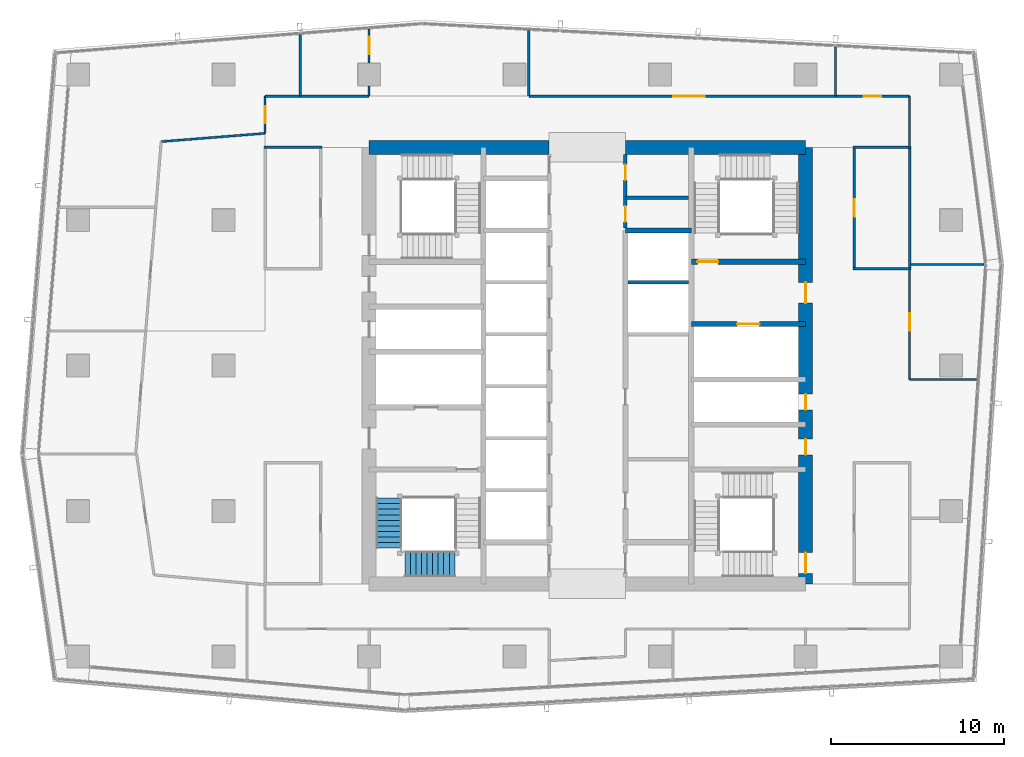
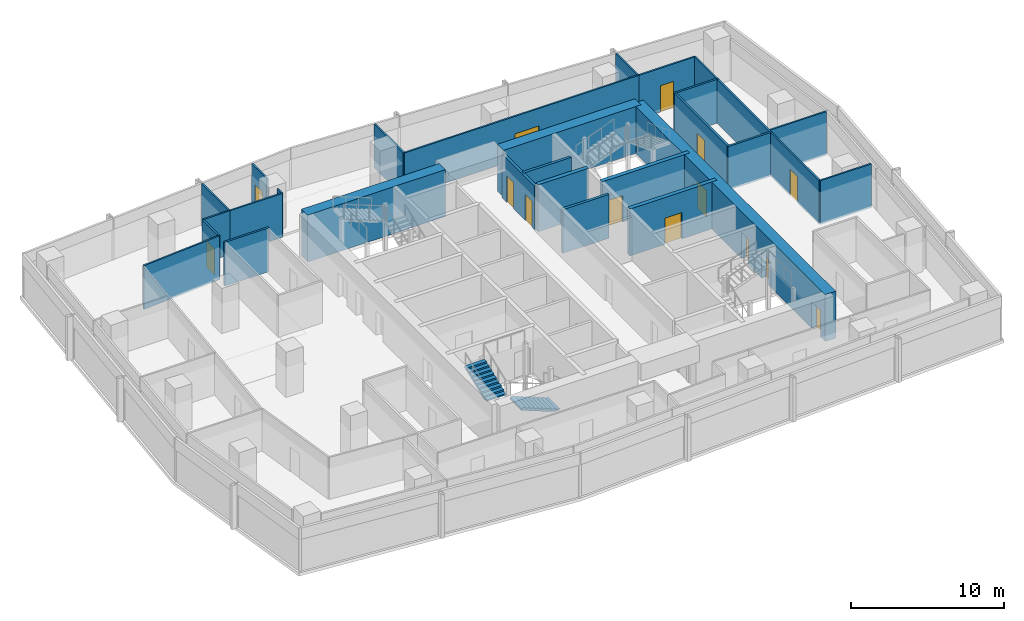
# One storey, part 24 of 29: 29 walls, 14 doors, 2 stair flights, 14 openings, 1 element without a shape of its own.
"""IFC4 building model written with IfcOpenShell, lengths in metres."""

from ifc_helpers import new_model, si_unit, direction, frame, frame_2d, origin, place, context, subcontext, project, spatial, polyline, rectangle, outline, extrude, material, layer, layer_set, type_object, element, fill, aggregate, save


model = new_model("IFC4")

# Units and contexts
model_context = context("Model", 3, precision=1e-05, world=origin(), true_north=direction((0.0, 1.0)))
body_context = subcontext(model_context, "Body", "Model", "MODEL_VIEW")
ifc_project = project(units=[si_unit("LENGTHUNIT", "METRE"), si_unit("AREAUNIT", "SQUARE_METRE"), si_unit("VOLUMEUNIT", "CUBIC_METRE"), si_unit("PLANEANGLEUNIT", "RADIAN"), si_unit("MASSUNIT", "GRAM", prefix="KILO")], contexts=[model_context])

# Site, building, storey
site_placement = place(None, origin())
site = spatial("IfcSite", under=ifc_project, at=site_placement, CompositionType="ELEMENT")
building_placement = place(site_placement, origin())
building = spatial("IfcBuilding", under=site, at=building_placement, Name="Rekha Terrace Tower", CompositionType="ELEMENT")
storey_placement = place(building_placement, frame((0.0, 0.0, 280.10009765625)))
storey = spatial("IfcBuildingStorey", under=building, at=storey_placement, Name="L71", CompositionType="ELEMENT", Elevation=280.10009765625)

# Wall
ifc_material_1 = material(Name="Concrete M60", Category="concrete")
ifc_layer_1 = layer(ifc_material_1, 0.300048828125)
ifc_layer_set_1 = layer_set([ifc_layer_1], Name="Concrete M60")
wall_type_1 = type_object("IfcWallType", Name="CI5 300 core internal shear wall", PredefinedType="SHEAR", material=ifc_layer_set_1)
wall_1_placement = place(storey_placement, frame((40.0, 41.39990234375, 0.0), z_axis=(0.0, 0.0, 1.0), x_axis=(1.0, 0.0, 0.0)))
element("IfcWall", 1, at=wall_1_placement, inside=storey, type_object=wall_type_1, Name="Core wall Y414E L71", PredefinedType="SHEAR", context=body_context, shape_type="SweptSolid", body=[
    extrude(rectangle(XDim=3.800048828125, YDim=0.300048828125, at=frame_2d((1.89990234375, 0.0))), origin(), (0.0, 0.0, 1.0), 3.75),
])

# Wall, opening, door
wall_2_placement = place(storey_placement, frame((43.800048828125, 36.0, 0.0), z_axis=(0.0, 0.0, 1.0), x_axis=(1.0, 0.0, 0.0)))
wall_2 = element("IfcWall", 2, at=wall_2_placement, inside=storey, type_object=wall_type_1, Name="Core wall Y360E L71", PredefinedType="SHEAR", context=body_context, shape_type="SweptSolid", body=[
    extrude(rectangle(XDim=6.599853515625, YDim=0.300048828125, at=frame_2d((3.2998046875, 0.0))), origin(), (0.0, 0.0, 1.0), 3.75),
])
opening_1_placement = place(wall_2_placement, frame((2.64990234375, 0.0, 0.0)))
opening_1 = element("IfcOpeningElement", 3, at=opening_1_placement, cuts=wall_2, Name="Opening LD2", PredefinedType="OPENING", context=body_context, shape_type="SweptSolid", body=[
    extrude(rectangle(XDim=1.300048828125, YDim=2.10009765625, at=frame_2d((0.64990234375, 1.050048828125))), frame((0.0, 0.159912109375, 0.0), z_axis=(0.0, -1.0, 0.0), x_axis=(1.0, 0.0, 0.0)), (0.0, 0.0, 1.0), 0.320068359375),
])
ifc_material_2 = material(Name="Stainless steel sliding landing door", Category="steel")
door_type_1 = type_object("IfcDoorType", Name="LD2 1300x2100 fire lift landing door", OperationType="SLIDING_TO_LEFT", PredefinedType="USERDEFINED", material=ifc_material_2)
door_1_placement = place(opening_1_placement, origin())
door_1 = element("IfcDoor", 4, at=door_1_placement, inside=storey, type_object=door_type_1, Name="Lift FL2 landing door L71", ObjectType="LIFT LANDING DOOR", OperationType="SLIDING_TO_LEFT", OverallHeight=2.10009765625, OverallWidth=1.300048828125, PredefinedType="USERDEFINED", context=body_context, shape_type="SweptSolid", body=[
    extrude(rectangle(XDim=1.300048828125, YDim=2.10009765625, at=frame_2d((0.64990234375, 1.050048828125))), frame((0.0, 0.02490234375, 0.0), z_axis=(0.0, -1.0, 0.0), x_axis=(1.0, 0.0, 0.0)), (0.0, 0.0, 1.0), 0.050048828125),
])
fill(opening_1, door_1)

wall_3_placement = place(storey_placement, frame((43.800048828125, 39.60009765625, 0.0), z_axis=(0.0, 0.0, 1.0), x_axis=(1.0, 0.0, 0.0)))
wall_3 = element("IfcWall", 5, at=wall_3_placement, inside=storey, type_object=wall_type_1, Name="Core wall Y396E L71", PredefinedType="SHEAR", context=body_context, shape_type="SweptSolid", body=[
    extrude(rectangle(XDim=6.599853515625, YDim=0.300048828125, at=frame_2d((3.2998046875, 0.0))), origin(), (0.0, 0.0, 1.0), 3.75),
])
opening_2_placement = place(wall_3_placement, frame((0.35009765625, 0.0, 0.0)))
opening_2 = element("IfcOpeningElement", 6, at=opening_2_placement, cuts=wall_3, Name="Opening D1", PredefinedType="OPENING", context=body_context, shape_type="SweptSolid", body=[
    extrude(rectangle(XDim=1.199951171875, YDim=2.10009765625, at=frame_2d((0.60009765625, 1.050048828125))), frame((0.0, 0.159912109375, 0.0), z_axis=(0.0, -1.0, 0.0), x_axis=(1.0, 0.0, 0.0)), (0.0, 0.0, 1.0), 0.320068359375),
])
ifc_material_3 = material(Name="Steel fire door", Category="steel")
door_type_2 = type_object("IfcDoorType", Name="D1 1200x2100 stair fire door", OperationType="SINGLE_SWING_RIGHT", PredefinedType="DOOR", material=ifc_material_3)
door_2_placement = place(opening_2_placement, origin())
door_2 = element("IfcDoor", 7, at=door_2_placement, inside=storey, type_object=door_type_2, Name="Stair ST2 door L71", OperationType="SINGLE_SWING_RIGHT", OverallHeight=2.10009765625, OverallWidth=1.199951171875, PredefinedType="DOOR", context=body_context, shape_type="SweptSolid", body=[
    extrude(rectangle(XDim=1.199951171875, YDim=2.10009765625, at=frame_2d((0.60009765625, 1.050048828125))), frame((0.0, 0.02490234375, 0.0), z_axis=(0.0, -1.0, 0.0), x_axis=(1.0, 0.0, 0.0)), (0.0, 0.0, 1.0), 0.050048828125),
])
fill(opening_2, door_2)

# Walls
ifc_layer_2 = layer(ifc_material_1, 0.800048828125)
ifc_layer_set_2 = layer_set([ifc_layer_2], Name="Concrete M60")
wall_type_2 = type_object("IfcWallType", Name="SW5 800 core outer shear wall", PredefinedType="SHEAR", material=ifc_layer_set_2)
wall_4_placement = place(storey_placement, frame((25.199951171875, 46.199951171875, 0.0), z_axis=(0.0, 0.0, 1.0), x_axis=(1.0, 0.0, 0.0)))
element("IfcWall", 8, at=wall_4_placement, inside=storey, type_object=wall_type_2, Name="Core wall N1 L71", PredefinedType="SHEAR", context=body_context, shape_type="SweptSolid", body=[
    extrude(rectangle(XDim=10.400146484375, YDim=0.800048828125, at=frame_2d((5.2001953125, 0.0))), origin(), (0.0, 0.0, 1.0), 3.75),
])
wall_5_placement = place(storey_placement, frame((40.0, 46.199951171875, 0.0), z_axis=(0.0, 0.0, 1.0), x_axis=(1.0, 0.0, 0.0)))
element("IfcWall", 9, at=wall_5_placement, inside=storey, type_object=wall_type_2, Name="Core wall N2 L71", PredefinedType="SHEAR", context=body_context, shape_type="SweptSolid", body=[
    extrude(rectangle(XDim=10.39990234375, YDim=0.800048828125, at=frame_2d((5.199951171875, 0.0))), origin(), (0.0, 0.0, 1.0), 3.75),
])

# Wall, openings, doors
wall_6_placement = place(storey_placement, frame((50.39990234375, 21.0, 0.0), z_axis=(0.0, 0.0, 1.0), x_axis=(0.0, 1.0, 0.0)))
wall_6 = element("IfcWall", 10, at=wall_6_placement, inside=storey, type_object=wall_type_2, Name="Core wall E L71", PredefinedType="SHEAR", context=body_context, shape_type="SweptSolid", body=[
    extrude(rectangle(XDim=25.199951171875, YDim=0.800048828125, at=frame_2d((12.60009765625, 0.0))), origin(), (0.0, 0.0, 1.0), 3.75),
])
opening_3_placement = place(wall_6_placement, frame((16.199951171875, 0.0, 0.0)))
opening_3 = element("IfcOpeningElement", 11, at=opening_3_placement, cuts=wall_6, Name="Opening D2", PredefinedType="OPENING", context=body_context, shape_type="SweptSolid", body=[
    extrude(rectangle(XDim=1.199951171875, YDim=2.10009765625, at=frame_2d((0.60009765625, 1.050048828125))), frame((0.0, 0.409912109375, 0.0), z_axis=(0.0, -1.0, 0.0), x_axis=(1.0, 0.0, 0.0)), (0.0, 0.0, 1.0), 0.820068359375),
])
opening_4_placement = place(wall_6_placement, frame((10.050048828125, 0.0, 0.0)))
opening_4 = element("IfcOpeningElement", 12, at=opening_4_placement, cuts=wall_6, Name="Opening D5", PredefinedType="OPENING", context=body_context, shape_type="SweptSolid", body=[
    extrude(rectangle(XDim=0.89990234375, YDim=2.10009765625, at=frame_2d((0.449951171875, 1.050048828125))), frame((0.0, 0.409912109375, 0.0), z_axis=(0.0, -1.0, 0.0), x_axis=(1.0, 0.0, 0.0)), (0.0, 0.0, 1.0), 0.820068359375),
])
opening_5_placement = place(wall_6_placement, frame((7.449951171875, 0.0, 0.0)))
opening_5 = element("IfcOpeningElement", 13, at=opening_5_placement, cuts=wall_6, Name="Opening D5", PredefinedType="OPENING", context=body_context, shape_type="SweptSolid", body=[
    extrude(rectangle(XDim=0.89990234375, YDim=2.10009765625, at=frame_2d((0.449951171875, 1.050048828125))), frame((0.0, 0.409912109375, 0.0), z_axis=(0.0, -1.0, 0.0), x_axis=(1.0, 0.0, 0.0)), (0.0, 0.0, 1.0), 0.820068359375),
])
opening_6_placement = place(wall_6_placement, frame((0.60009765625, 0.0, 0.0)))
opening_6 = element("IfcOpeningElement", 14, at=opening_6_placement, cuts=wall_6, Name="Opening D1", PredefinedType="OPENING", context=body_context, shape_type="SweptSolid", body=[
    extrude(rectangle(XDim=1.199951171875, YDim=2.10009765625, at=frame_2d((0.60009765625, 1.050048828125))), frame((0.0, 0.409912109375, 0.0), z_axis=(0.0, -1.0, 0.0), x_axis=(1.0, 0.0, 0.0)), (0.0, 0.0, 1.0), 0.820068359375),
])
door_3_placement = place(opening_6_placement, origin())
door_3 = element("IfcDoor", 15, at=door_3_placement, inside=storey, type_object=door_type_2, Name="Stair ST3 door L71", OperationType="SINGLE_SWING_RIGHT", OverallHeight=2.10009765625, OverallWidth=1.199951171875, PredefinedType="DOOR", context=body_context, shape_type="SweptSolid", body=[
    extrude(rectangle(XDim=1.199951171875, YDim=2.10009765625, at=frame_2d((0.60009765625, 1.050048828125))), frame((0.0, 0.02490234375, 0.0), z_axis=(0.0, -1.0, 0.0), x_axis=(1.0, 0.0, 0.0)), (0.0, 0.0, 1.0), 0.050048828125),
])
fill(opening_6, door_3)
door_type_3 = type_object("IfcDoorType", Name="D2 1200x2100 firefighting lobby door", OperationType="SINGLE_SWING_LEFT", PredefinedType="DOOR", material=ifc_material_3)
door_4_placement = place(opening_3_placement, origin())
door_4 = element("IfcDoor", 16, at=door_4_placement, inside=storey, type_object=door_type_3, Name="Door flb2 L71", OperationType="SINGLE_SWING_LEFT", OverallHeight=2.10009765625, OverallWidth=1.199951171875, PredefinedType="DOOR", context=body_context, shape_type="SweptSolid", body=[
    extrude(rectangle(XDim=1.199951171875, YDim=2.10009765625, at=frame_2d((0.60009765625, 1.050048828125))), frame((0.0, 0.02490234375, 0.0), z_axis=(0.0, -1.0, 0.0), x_axis=(1.0, 0.0, 0.0)), (0.0, 0.0, 1.0), 0.050048828125),
])
fill(opening_3, door_4)
door_type_4 = type_object("IfcDoorType", Name="D5 900x2100 riser access door", OperationType="SINGLE_SWING_LEFT", PredefinedType="DOOR", material=ifc_material_3)
door_5_placement = place(opening_4_placement, origin())
door_5 = element("IfcDoor", 17, at=door_5_placement, inside=storey, type_object=door_type_4, Name="Door rs2 L71", OperationType="SINGLE_SWING_LEFT", OverallHeight=2.10009765625, OverallWidth=0.89990234375, PredefinedType="DOOR", context=body_context, shape_type="SweptSolid", body=[
    extrude(rectangle(XDim=0.89990234375, YDim=2.10009765625, at=frame_2d((0.449951171875, 1.050048828125))), frame((0.0, 0.02490234375, 0.0), z_axis=(0.0, -1.0, 0.0), x_axis=(1.0, 0.0, 0.0)), (0.0, 0.0, 1.0), 0.050048828125),
])
fill(opening_4, door_5)
door_6_placement = place(opening_5_placement, origin())
door_6 = element("IfcDoor", 18, at=door_6_placement, inside=storey, type_object=door_type_4, Name="Door ele L71", OperationType="SINGLE_SWING_LEFT", OverallHeight=2.10009765625, OverallWidth=0.89990234375, PredefinedType="DOOR", context=body_context, shape_type="SweptSolid", body=[
    extrude(rectangle(XDim=0.89990234375, YDim=2.10009765625, at=frame_2d((0.449951171875, 1.050048828125))), frame((0.0, 0.02490234375, 0.0), z_axis=(0.0, -1.0, 0.0), x_axis=(1.0, 0.0, 0.0)), (0.0, 0.0, 1.0), 0.050048828125),
])
fill(opening_5, door_6)

# Walls
ifc_material_4 = material(Name="Concrete block masonry, 1 hour", Category="masonry")
ifc_layer_3 = layer(ifc_material_4, 0.14990234375)
ifc_layer_set_3 = layer_set([ifc_layer_3], Name="Concrete block masonry, 1 hour")
wall_type_3 = type_object("IfcWallType", Name="WP2 150 tenancy partition", PredefinedType="PARTITIONING", material=ifc_layer_set_3)
for number, where, z_axis, x_axis, name in (
    (19, (53.125, 39.199951171875, 0.0), (0.0, 0.0, 1.0), (1.0, 0.0, 0.0), "Women's WC wall L71"),
    (20, (53.125, 46.199951171875, 0.0), (0.0, 0.0, 1.0), (1.0, 0.0, 0.0), "Women's WC wall L71"),
):
    element("IfcWall", number, at=place(storey_placement, frame(where, z_axis=z_axis, x_axis=x_axis)), inside=storey, type_object=wall_type_3, Name=name, PredefinedType="PARTITIONING", context=body_context, shape_type="SweptSolid", body=[
        extrude(rectangle(XDim=3.35009765625, YDim=0.14990234375, at=frame_2d((1.675048828125, 0.0))), origin(), (0.0, 0.0, 1.0), 3.5),
    ])

# Wall, opening, door
wall_7_placement = place(storey_placement, frame((53.199951171875, 39.27490234375, 0.0), z_axis=(0.0, 0.0, 1.0), x_axis=(0.0, 1.0, 0.0)))
wall_7 = element("IfcWall", 21, at=wall_7_placement, inside=storey, type_object=wall_type_3, Name="Women's WC wall L71", PredefinedType="PARTITIONING", context=body_context, shape_type="SweptSolid", body=[
    extrude(rectangle(XDim=6.85009765625, YDim=0.14990234375, at=frame_2d((3.425048828125, 0.0))), origin(), (0.0, 0.0, 1.0), 3.5),
])
opening_7_placement = place(wall_7_placement, frame((2.925048828125, 0.0, 0.0)))
opening_7 = element("IfcOpeningElement", 22, at=opening_7_placement, cuts=wall_7, Name="Opening D3", PredefinedType="OPENING", context=body_context, shape_type="SweptSolid", body=[
    extrude(rectangle(XDim=1.0, YDim=2.10009765625, at=frame_2d((0.5, 1.050048828125))), frame((0.0, 0.0849609375, 0.0), z_axis=(0.0, -1.0, 0.0), x_axis=(1.0, 0.0, 0.0)), (0.0, 0.0, 1.0), 0.169921875),
])
ifc_material_5 = material(Name="Laminated timber fire door", Category="wood")
door_type_5 = type_object("IfcDoorType", Name="D3 1000x2100 WC door", OperationType="SINGLE_SWING_LEFT", PredefinedType="DOOR", material=ifc_material_5)
door_7_placement = place(opening_7_placement, origin())
door_7 = element("IfcDoor", 23, at=door_7_placement, inside=storey, type_object=door_type_5, Name="Door women's wc L71", OperationType="SINGLE_SWING_LEFT", OverallHeight=2.10009765625, OverallWidth=1.0, PredefinedType="DOOR", context=body_context, shape_type="SweptSolid", body=[
    extrude(rectangle(XDim=1.0, YDim=2.10009765625, at=frame_2d((0.5, 1.050048828125))), frame((0.0, 0.02490234375, 0.0), z_axis=(0.0, -1.0, 0.0), x_axis=(1.0, 0.0, 0.0)), (0.0, 0.0, 1.0), 0.050048828125),
])
fill(opening_7, door_7)

# Walls
wall_8_placement = place(storey_placement, frame((56.39990234375, 39.27490234375, 0.0), z_axis=(0.0, 0.0, 1.0), x_axis=(0.0, 1.0, 0.0)))
element("IfcWall", 24, at=wall_8_placement, inside=storey, type_object=wall_type_3, Name="Women's WC wall L71", PredefinedType="PARTITIONING", context=body_context, shape_type="SweptSolid", body=[
    extrude(rectangle(XDim=6.85009765625, YDim=0.14990234375, at=frame_2d((3.425048828125, 0.0))), origin(), (0.0, 0.0, 1.0), 3.5),
])
wall_9_placement = place(storey_placement, frame((19.125, 46.199951171875, 0.0), z_axis=(0.0, 0.0, 1.0), x_axis=(1.0, 0.0, 0.0)))
element("IfcWall", 25, at=wall_9_placement, inside=storey, type_object=wall_type_3, Name="Women's WC wall L71", PredefinedType="PARTITIONING", context=body_context, shape_type="SweptSolid", body=[
    extrude(rectangle(XDim=3.35009765625, YDim=0.14990234375, at=frame_2d((1.675048828125, 0.0))), origin(), (0.0, 0.0, 1.0), 3.5),
])
ifc_material_6 = material(Name="Two layers of fire-rated gypsum board each side on steel studs, acoustic quilt, 1 hour", Category="steel")
ifc_layer_4 = layer(ifc_material_6, 0.125)
ifc_layer_set_4 = layer_set([ifc_layer_4], Name="Two layers of fire-rated gypsum board each side on steel studs, acoustic quilt, 1 hour")
wall_type_4 = type_object("IfcWallType", Name="WP3 125 office partition", PredefinedType="PARTITIONING", material=ifc_layer_set_4)
wall_10_placement = place(storey_placement, frame((60.26611328125, 32.7919921875, 0.0), z_axis=(0.0, 0.0, 1.0), x_axis=(-1.0, 0.0, 0.0)))
element("IfcWall", 26, at=wall_10_placement, inside=storey, type_object=wall_type_4, Name="Partition L71-02", PredefinedType="PARTITIONING", context=body_context, shape_type="SweptSolid", body=[
    extrude(rectangle(XDim=3.8662109375, YDim=0.125, at=frame_2d((1.93310546875, 0.0))), origin(), (0.0, 0.0, 1.0), 3.5),
])

# Wall, opening, door
wall_11_placement = place(storey_placement, frame((56.39990234375, 32.7919921875, 0.0), z_axis=(0.0, 0.0, 1.0), x_axis=(0.0, 1.0, 0.0)))
wall_11 = element("IfcWall", 27, at=wall_11_placement, inside=storey, type_object=wall_type_4, Name="Partition L71-02", PredefinedType="PARTITIONING", context=body_context, shape_type="SweptSolid", body=[
    extrude(rectangle(XDim=6.48193359375, YDim=0.125, at=frame_2d((3.240966796875, 0.0))), origin(), (0.0, 0.0, 1.0), 3.5),
])
opening_8_placement = place(wall_11_placement, frame((2.822998046875, 0.0, 0.0)))
opening_8 = element("IfcOpeningElement", 28, at=opening_8_placement, cuts=wall_11, Name="Opening D9", PredefinedType="OPENING", context=body_context, shape_type="SweptSolid", body=[
    extrude(rectangle(XDim=1.0, YDim=2.10009765625, at=frame_2d((0.5, 1.050048828125))), frame((0.0, 0.072509765625, 0.0), z_axis=(0.0, -1.0, 0.0), x_axis=(1.0, 0.0, 0.0)), (0.0, 0.0, 1.0), 0.14501953125),
])
ifc_material_7 = material(Name="Timber fire door", Category="wood")
door_type_6 = type_object("IfcDoorType", Name="D9 1000x2100 office door", OperationType="SINGLE_SWING_LEFT", PredefinedType="DOOR", material=ifc_material_7)
door_8_placement = place(opening_8_placement, origin())
door_8 = element("IfcDoor", 29, at=door_8_placement, inside=storey, type_object=door_type_6, Name="Door meeting room L71", OperationType="SINGLE_SWING_LEFT", OverallHeight=2.10009765625, OverallWidth=1.0, PredefinedType="DOOR", context=body_context, shape_type="SweptSolid", body=[
    extrude(rectangle(XDim=1.0, YDim=2.10009765625, at=frame_2d((0.5, 1.050048828125))), frame((0.0, 0.02490234375, 0.0), z_axis=(0.0, -1.0, 0.0), x_axis=(1.0, 0.0, 0.0)), (0.0, 0.0, 1.0), 0.050048828125),
])
fill(opening_8, door_8)

# Walls
wall_12_placement = place(storey_placement, frame((56.47509765625, 39.43896484375, 0.0), z_axis=(0.0, 0.0, 1.0), x_axis=(1.0, 0.0, 0.0)))
element("IfcWall", 30, at=wall_12_placement, inside=storey, type_object=wall_type_4, Name="Partition L71-02", PredefinedType="PARTITIONING", context=body_context, shape_type="SweptSolid", body=[
    extrude(rectangle(XDim=4.224853515625, YDim=0.125, at=frame_2d((2.1123046875, 0.0))), origin(), (0.0, 0.0, 1.0), 3.5),
])
wall_13_placement = place(storey_placement, frame((52.123046875, 49.14990234375, 0.0), z_axis=(0.0, 0.0, 1.0), x_axis=(0.0, 1.0, 0.0)))
element("IfcWall", 31, at=wall_13_placement, inside=storey, type_object=wall_type_4, Name="Partition L71-03", PredefinedType="PARTITIONING", context=body_context, shape_type="SweptSolid", body=[
    extrude(rectangle(XDim=2.85205078125, YDim=0.125, at=frame_2d((1.426025390625, 0.0))), origin(), (0.0, 0.0, 1.0), 3.5),
])
wall_14_placement = place(storey_placement, frame((56.39990234375, 46.125, 0.0), z_axis=(0.0, 0.0, 1.0), x_axis=(0.0, 1.0, 0.0)))
element("IfcWall", 32, at=wall_14_placement, inside=storey, type_object=wall_type_4, Name="Partition L71-03", PredefinedType="PARTITIONING", context=body_context, shape_type="SweptSolid", body=[
    extrude(rectangle(XDim=3.02490234375, YDim=0.125, at=frame_2d((1.512451171875, 0.0))), origin(), (0.0, 0.0, 1.0), 3.5),
])

# Wall, opening, door
wall_15_placement = place(storey_placement, frame((56.39990234375, 49.14990234375, 0.0), z_axis=(0.0, 0.0, 1.0), x_axis=(-1.0, 0.0, 0.0)))
wall_15 = element("IfcWall", 33, at=wall_15_placement, inside=storey, type_object=wall_type_4, Name="Partition L71-03", PredefinedType="PARTITIONING", context=body_context, shape_type="SweptSolid", body=[
    extrude(rectangle(XDim=4.27685546875, YDim=0.125, at=frame_2d((2.138427734375, 0.0))), origin(), (0.0, 0.0, 1.0), 3.5),
])
opening_9_placement = place(wall_15_placement, frame((1.638916015625, 0.0, 0.0)))
opening_9 = element("IfcOpeningElement", 34, at=opening_9_placement, cuts=wall_15, Name="Opening D9", PredefinedType="OPENING", context=body_context, shape_type="SweptSolid", body=[
    extrude(rectangle(XDim=1.0, YDim=2.10009765625, at=frame_2d((0.5, 1.050048828125))), frame((0.0, 0.072509765625, 0.0), z_axis=(0.0, -1.0, 0.0), x_axis=(1.0, 0.0, 0.0)), (0.0, 0.0, 1.0), 0.14501953125),
])
door_9_placement = place(opening_9_placement, origin())
door_9 = element("IfcDoor", 35, at=door_9_placement, inside=storey, type_object=door_type_6, Name="Door chairman's office L71", OperationType="SINGLE_SWING_LEFT", OverallHeight=2.10009765625, OverallWidth=1.0, PredefinedType="DOOR", context=body_context, shape_type="SweptSolid", body=[
    extrude(rectangle(XDim=1.0, YDim=2.10009765625, at=frame_2d((0.5, 1.050048828125))), frame((0.0, 0.02490234375, 0.0), z_axis=(0.0, -1.0, 0.0), x_axis=(1.0, 0.0, 0.0)), (0.0, 0.0, 1.0), 0.050048828125),
])
fill(opening_9, door_9)

wall_16_placement = place(storey_placement, frame((52.123046875, 49.14990234375, 0.0), z_axis=(0.0, 0.0, 1.0), x_axis=(-1.0, 0.0, 0.0)))
wall_16 = element("IfcWall", 36, at=wall_16_placement, inside=storey, type_object=wall_type_4, Name="Partition L71-04", PredefinedType="PARTITIONING", context=body_context, shape_type="SweptSolid", body=[
    extrude(rectangle(XDim=17.705078125, YDim=0.125, at=frame_2d((8.8525390625, 0.0))), origin(), (0.0, 0.0, 1.0), 3.5),
])
opening_10_placement = place(wall_16_placement, frame((7.552978515625, 0.0, 0.0)))
opening_10 = element("IfcOpeningElement", 37, at=opening_10_placement, cuts=wall_16, Name="Opening D8", PredefinedType="OPENING", context=body_context, shape_type="SweptSolid", body=[
    extrude(rectangle(XDim=1.800048828125, YDim=2.10009765625, at=frame_2d((0.89990234375, 1.050048828125))), frame((0.0, 0.072509765625, 0.0), z_axis=(0.0, -1.0, 0.0), x_axis=(1.0, 0.0, 0.0)), (0.0, 0.0, 1.0), 0.14501953125),
])
door_type_7 = type_object("IfcDoorType", Name="D8 1800x2100 double leaf door", OperationType="DOUBLE_DOOR_SINGLE_SWING", PredefinedType="DOOR", material=ifc_material_7)
door_10_placement = place(opening_10_placement, origin())
door_10 = element("IfcDoor", 38, at=door_10_placement, inside=storey, type_object=door_type_7, Name="Door meeting room L71", OperationType="DOUBLE_DOOR_SINGLE_SWING", OverallHeight=2.10009765625, OverallWidth=1.800048828125, PredefinedType="DOOR", context=body_context, shape_type="SweptSolid", body=[
    extrude(rectangle(XDim=1.800048828125, YDim=2.10009765625, at=frame_2d((0.89990234375, 1.050048828125))), frame((0.0, 0.02490234375, 0.0), z_axis=(0.0, -1.0, 0.0), x_axis=(1.0, 0.0, 0.0)), (0.0, 0.0, 1.0), 0.050048828125),
])
fill(opening_10, door_10)

# Wall
wall_17_placement = place(storey_placement, frame((34.41796875, 49.14990234375, 0.0), z_axis=(0.0, 0.0, 1.0), x_axis=(0.0, 1.0, 0.0)))
element("IfcWall", 39, at=wall_17_placement, inside=storey, type_object=wall_type_4, Name="Partition L71-04", PredefinedType="PARTITIONING", context=body_context, shape_type="SweptSolid", body=[
    extrude(rectangle(XDim=3.793212890625, YDim=0.125, at=frame_2d((1.896484375, 0.0))), origin(), (0.0, 0.0, 1.0), 3.5),
])

# Wall, opening, door
wall_18_placement = place(storey_placement, frame((25.205078125, 53.02490234375, 0.0), z_axis=(0.0, 0.0, 1.0), x_axis=(0.0, -1.0, 0.0)))
wall_18 = element("IfcWall", 40, at=wall_18_placement, inside=storey, type_object=wall_type_4, Name="Partition L71-05", PredefinedType="PARTITIONING", context=body_context, shape_type="SweptSolid", body=[
    extrude(rectangle(XDim=1.954833984375, YDim=0.125, at=frame_2d((0.9775390625, 0.0))), origin(), (0.0, 0.0, 1.0), 3.5),
])
opening_11_placement = place(wall_18_placement, frame((0.443115234375, 0.0, 0.0)))
opening_11 = element("IfcOpeningElement", 41, at=opening_11_placement, cuts=wall_18, Name="Opening D9", PredefinedType="OPENING", context=body_context, shape_type="SweptSolid", body=[
    extrude(rectangle(XDim=1.0, YDim=2.10009765625, at=frame_2d((0.5, 1.050048828125))), frame((0.0, 0.072509765625, 0.0), z_axis=(0.0, -1.0, 0.0), x_axis=(1.0, 0.0, 0.0)), (0.0, 0.0, 1.0), 0.14501953125),
])
door_11_placement = place(opening_11_placement, origin())
door_11 = element("IfcDoor", 42, at=door_11_placement, inside=storey, type_object=door_type_6, Name="Door meeting room L71", OperationType="SINGLE_SWING_LEFT", OverallHeight=2.10009765625, OverallWidth=1.0, PredefinedType="DOOR", context=body_context, shape_type="SweptSolid", body=[
    extrude(rectangle(XDim=1.0, YDim=2.10009765625, at=frame_2d((0.5, 1.050048828125))), frame((0.0, 0.02490234375, 0.0), z_axis=(0.0, -1.0, 0.0), x_axis=(1.0, 0.0, 0.0)), (0.0, 0.0, 1.0), 0.050048828125),
])
fill(opening_11, door_11)

# Walls
wall_19_placement = place(storey_placement, frame((25.205078125, 49.72998046875, 0.0), z_axis=(0.0, 0.0, 1.0), x_axis=(0.0, -1.0, 0.0)))
element("IfcWall", 43, at=wall_19_placement, inside=storey, type_object=wall_type_4, Name="Partition L71-05", PredefinedType="PARTITIONING", context=body_context, shape_type="SweptSolid", body=[
    extrude(rectangle(XDim=0.580078125, YDim=0.125, at=frame_2d((0.2900390625, 0.0))), origin(), (0.0, 0.0, 1.0), 3.5),
])
wall_20_placement = place(storey_placement, frame((25.205078125, 49.14990234375, 0.0), z_axis=(0.0, 0.0, 1.0), x_axis=(-1.0, 0.0, 0.0)))
element("IfcWall", 44, at=wall_20_placement, inside=storey, type_object=wall_type_4, Name="Partition L71-05", PredefinedType="PARTITIONING", context=body_context, shape_type="SweptSolid", body=[
    extrude(rectangle(XDim=3.97802734375, YDim=0.125, at=frame_2d((1.989013671875, 0.0))), origin(), (0.0, 0.0, 1.0), 3.5),
])
wall_21_placement = place(storey_placement, frame((21.22705078125, 49.14990234375, 0.0), z_axis=(0.0, 0.0, 1.0), x_axis=(0.0, 1.0, 0.0)))
element("IfcWall", 45, at=wall_21_placement, inside=storey, type_object=wall_type_4, Name="Partition L71-05", PredefinedType="PARTITIONING", context=body_context, shape_type="SweptSolid", body=[
    extrude(rectangle(XDim=3.55810546875, YDim=0.125, at=frame_2d((1.779052734375, 0.0))), origin(), (0.0, 0.0, 1.0), 3.5),
])
wall_22_placement = place(storey_placement, frame((19.199951171875, 47.008056640625, 0.0), z_axis=(0.0, 0.0, 1.0), x_axis=(-0.996842300725, -0.079406721921, 0.0)))
element("IfcWall", 46, at=wall_22_placement, inside=storey, type_object=wall_type_4, Name="Partition L71-06", PredefinedType="PARTITIONING", context=body_context, shape_type="SweptSolid", body=[
    extrude(rectangle(XDim=6.02001953125, YDim=0.125, at=frame_2d((3.010009765625, 0.0))), origin(), (0.0, 0.0, 1.0), 3.5),
])
wall_23_placement = place(storey_placement, frame((21.22607421875, 49.14990234375, 0.0), z_axis=(0.0, 0.0, 1.0), x_axis=(-1.0, 0.0, 0.0)))
element("IfcWall", 47, at=wall_23_placement, inside=storey, type_object=wall_type_4, Name="Partition L71-06", PredefinedType="PARTITIONING", context=body_context, shape_type="SweptSolid", body=[
    extrude(rectangle(XDim=2.026123046875, YDim=0.125, at=frame_2d((1.01318359375, 0.0))), origin(), (0.0, 0.0, 1.0), 3.5),
])

# Wall, opening, door
wall_24_placement = place(storey_placement, frame((19.199951171875, 49.14990234375, 0.0), z_axis=(0.0, 0.0, 1.0), x_axis=(0.0, -1.0, 0.0)))
wall_24 = element("IfcWall", 48, at=wall_24_placement, inside=storey, type_object=wall_type_4, Name="Partition L71-06", PredefinedType="PARTITIONING", context=body_context, shape_type="SweptSolid", body=[
    extrude(rectangle(XDim=2.141845703125, YDim=0.125, at=frame_2d((1.07080078125, 0.0))), origin(), (0.0, 0.0, 1.0), 3.5),
])
opening_12_placement = place(wall_24_placement, frame((0.571044921875, 0.0, 0.0)))
opening_12 = element("IfcOpeningElement", 49, at=opening_12_placement, cuts=wall_24, Name="Opening D9", PredefinedType="OPENING", context=body_context, shape_type="SweptSolid", body=[
    extrude(rectangle(XDim=1.0, YDim=2.10009765625, at=frame_2d((0.5, 1.050048828125))), frame((0.0, 0.072509765625, 0.0), z_axis=(0.0, -1.0, 0.0), x_axis=(1.0, 0.0, 0.0)), (0.0, 0.0, 1.0), 0.14501953125),
])
door_12_placement = place(opening_12_placement, origin())
door_12 = element("IfcDoor", 50, at=door_12_placement, inside=storey, type_object=door_type_6, Name="Door director's office L71", OperationType="SINGLE_SWING_LEFT", OverallHeight=2.10009765625, OverallWidth=1.0, PredefinedType="DOOR", context=body_context, shape_type="SweptSolid", body=[
    extrude(rectangle(XDim=1.0, YDim=2.10009765625, at=frame_2d((0.5, 1.050048828125))), frame((0.0, 0.02490234375, 0.0), z_axis=(0.0, -1.0, 0.0), x_axis=(1.0, 0.0, 0.0)), (0.0, 0.0, 1.0), 0.050048828125),
])
fill(opening_12, door_12)

# Wall
ifc_material_8 = material(Name="Solid concrete block masonry, 2 hour", Category="masonry")
ifc_layer_5 = layer(ifc_material_8, 0.199951171875)
ifc_layer_set_5 = layer_set([ifc_layer_5], Name="Solid concrete block masonry, 2 hour")
wall_type_5 = type_object("IfcWallType", Name="WS1 200 stair and shaft enclosure", PredefinedType="PARTITIONING", material=ifc_layer_set_5)
wall_25_placement = place(storey_placement, frame((40.14990234375, 38.39990234375, 0.0), z_axis=(0.0, 0.0, 1.0), x_axis=(1.0, 0.0, 0.0)))
element("IfcWall", 51, at=wall_25_placement, inside=storey, type_object=wall_type_5, Name="Lift shaft divider L71", PredefinedType="PARTITIONING", context=body_context, shape_type="SweptSolid", body=[
    extrude(rectangle(XDim=3.5, YDim=0.199951171875, at=frame_2d((1.75, 0.0))), origin(), (0.0, 0.0, 1.0), 3.5),
])

# Wall, openings, doors
wall_26_placement = place(storey_placement, frame((40.0, 41.550048828125, 0.0), z_axis=(0.0, 0.0, 1.0), x_axis=(0.0, 1.0, 0.0)))
wall_26 = element("IfcWall", 52, at=wall_26_placement, inside=storey, type_object=wall_type_5, Name="Core partition elec L71", PredefinedType="PARTITIONING", context=body_context, shape_type="SweptSolid", body=[
    extrude(rectangle(XDim=4.25, YDim=0.199951171875, at=frame_2d((2.125, 0.0))), origin(), (0.0, 0.0, 1.0), 3.5),
])
opening_13_placement = place(wall_26_placement, frame((2.75, 0.0, 0.0)))
opening_13 = element("IfcOpeningElement", 53, at=opening_13_placement, cuts=wall_26, Name="Opening D5", PredefinedType="OPENING", context=body_context, shape_type="SweptSolid", body=[
    extrude(rectangle(XDim=0.89990234375, YDim=2.10009765625, at=frame_2d((0.449951171875, 1.050048828125))), frame((0.0, 0.10986328125, 0.0), z_axis=(0.0, -1.0, 0.0), x_axis=(1.0, 0.0, 0.0)), (0.0, 0.0, 1.0), 0.219970703125),
])
opening_14_placement = place(wall_26_placement, frame((0.35009765625, 0.0, 0.0)))
opening_14 = element("IfcOpeningElement", 54, at=opening_14_placement, cuts=wall_26, Name="Opening D5", PredefinedType="OPENING", context=body_context, shape_type="SweptSolid", body=[
    extrude(rectangle(XDim=0.89990234375, YDim=2.10009765625, at=frame_2d((0.449951171875, 1.050048828125))), frame((0.0, 0.10986328125, 0.0), z_axis=(0.0, -1.0, 0.0), x_axis=(1.0, 0.0, 0.0)), (0.0, 0.0, 1.0), 0.219970703125),
])
door_13_placement = place(opening_13_placement, origin())
door_13 = element("IfcDoor", 55, at=door_13_placement, inside=storey, type_object=door_type_4, Name="Door electrical room L71", OperationType="SINGLE_SWING_LEFT", OverallHeight=2.10009765625, OverallWidth=0.89990234375, PredefinedType="DOOR", context=body_context, shape_type="SweptSolid", body=[
    extrude(rectangle(XDim=0.89990234375, YDim=2.10009765625, at=frame_2d((0.449951171875, 1.050048828125))), frame((0.0, 0.02490234375, 0.0), z_axis=(0.0, -1.0, 0.0), x_axis=(1.0, 0.0, 0.0)), (0.0, 0.0, 1.0), 0.050048828125),
])
fill(opening_13, door_13)
door_14_placement = place(opening_14_placement, origin())
door_14 = element("IfcDoor", 56, at=door_14_placement, inside=storey, type_object=door_type_4, Name="Door stationery store L71", OperationType="SINGLE_SWING_LEFT", OverallHeight=2.10009765625, OverallWidth=0.89990234375, PredefinedType="DOOR", context=body_context, shape_type="SweptSolid", body=[
    extrude(rectangle(XDim=0.89990234375, YDim=2.10009765625, at=frame_2d((0.449951171875, 1.050048828125))), frame((0.0, 0.02490234375, 0.0), z_axis=(0.0, -1.0, 0.0), x_axis=(1.0, 0.0, 0.0)), (0.0, 0.0, 1.0), 0.050048828125),
])
fill(opening_14, door_14)

# Wall
wall_27_placement = place(storey_placement, frame((40.0, 43.300048828125, 0.0), z_axis=(0.0, 0.0, 1.0), x_axis=(1.0, 0.0, 0.0)))
element("IfcWall", 57, at=wall_27_placement, inside=storey, type_object=wall_type_5, Name="Core partition elx L71", PredefinedType="PARTITIONING", context=body_context, shape_type="SweptSolid", body=[
    extrude(rectangle(XDim=3.64990234375, YDim=0.199951171875, at=frame_2d((1.824951171875, 0.0))), origin(), (0.0, 0.0, 1.0), 3.5),
])

# Stair, stair flights
ifc_material_9 = material(Name="Concrete M40", Category="concrete")
stair_type = type_object("IfcStairType", Name="ST30 stair, 30 risers of 125, going 320, 1500 wide flights, 3 flights", PredefinedType="HALF_TURN_STAIR", material=ifc_material_9)
stair_placement = place(storey_placement, origin())
stair = element("IfcStair", 58, at=stair_placement, inside=storey, type_object=stair_type, Name="Stair ST1 L71 to L72", PredefinedType="HALF_TURN_STAIR")
stair_flight_type = type_object("IfcStairFlightType", Name="SF10 stair flight, 10 risers of 125, going 320, 1500 wide", PredefinedType="STRAIGHT", material=ifc_material_9)
stair_flight_1_placement = place(storey_placement, frame((30.14990234375, 22.14990234375, 1.25), z_axis=(0.0, 0.0, 1.0), x_axis=(-1.0, 0.0, 0.0)))
stair_flight_1 = element("IfcStairFlight", 59, at=stair_flight_1_placement, type_object=stair_flight_type, Name="ST1 flight 2", NumberOfRisers=10, NumberOfTreads=9, PredefinedType="STRAIGHT", RiserHeight=0.125, TreadLength=0.32, context=body_context, shape_type="SweptSolid", body=[
    extrude(outline(polyline([(0.0, 0.0), (0.0, 0.125), (0.320068359375, 0.125), (0.320068359375, 0.25), (0.639892578125, 0.25), (0.639892578125, 0.375), (0.9599609375, 0.375), (0.9599609375, 0.5), (1.280029296875, 0.5), (1.280029296875, 0.625), (1.60009765625, 0.625), (1.60009765625, 0.75), (1.919921875, 0.75), (1.919921875, 0.875), (2.239990234375, 0.875), (2.239990234375, 1.0), (2.56005859375, 1.0), (2.56005859375, 1.125), (2.8798828125, 1.125), (2.8798828125, 1.25), (2.8798828125, 0.964111328125), (0.412109375, 0.0), (0.0, 0.0)])), frame((0.0, 0.75, 0.0), z_axis=(0.0, -1.0, 0.0), x_axis=(1.0, 0.0, 0.0)), (0.0, 0.0, 1.0), 1.5),
])
stair_flight_2_placement = place(storey_placement, frame((26.35009765625, 23.070068359375, 2.5), z_axis=(0.0, 0.0, 1.0), x_axis=(0.0, 1.0, 0.0)))
stair_flight_2 = element("IfcStairFlight", 60, at=stair_flight_2_placement, type_object=stair_flight_type, Name="ST1 flight 3", NumberOfRisers=10, NumberOfTreads=9, PredefinedType="STRAIGHT", RiserHeight=0.125, TreadLength=0.32, context=body_context, shape_type="SweptSolid", body=[
    extrude(outline(polyline([(0.0, 0.0), (0.0, 0.125), (0.320068359375, 0.125), (0.320068359375, 0.25), (0.639892578125, 0.25), (0.639892578125, 0.375), (0.9599609375, 0.375), (0.9599609375, 0.5), (1.280029296875, 0.5), (1.280029296875, 0.625), (1.60009765625, 0.625), (1.60009765625, 0.75), (1.919921875, 0.75), (1.919921875, 0.875), (2.239990234375, 0.875), (2.239990234375, 1.0), (2.56005859375, 1.0), (2.56005859375, 1.125), (2.8798828125, 1.125), (2.8798828125, 1.25), (2.8798828125, 0.964111328125), (0.412109375, 0.0), (0.0, 0.0)])), frame((0.0, 0.75, 0.0), z_axis=(0.0, -1.0, 0.0), x_axis=(1.0, 0.0, 0.0)), (0.0, 0.0, 1.0), 1.5),
])
aggregate(stair, [stair_flight_1, stair_flight_2])

save(model, "model.ifc")
